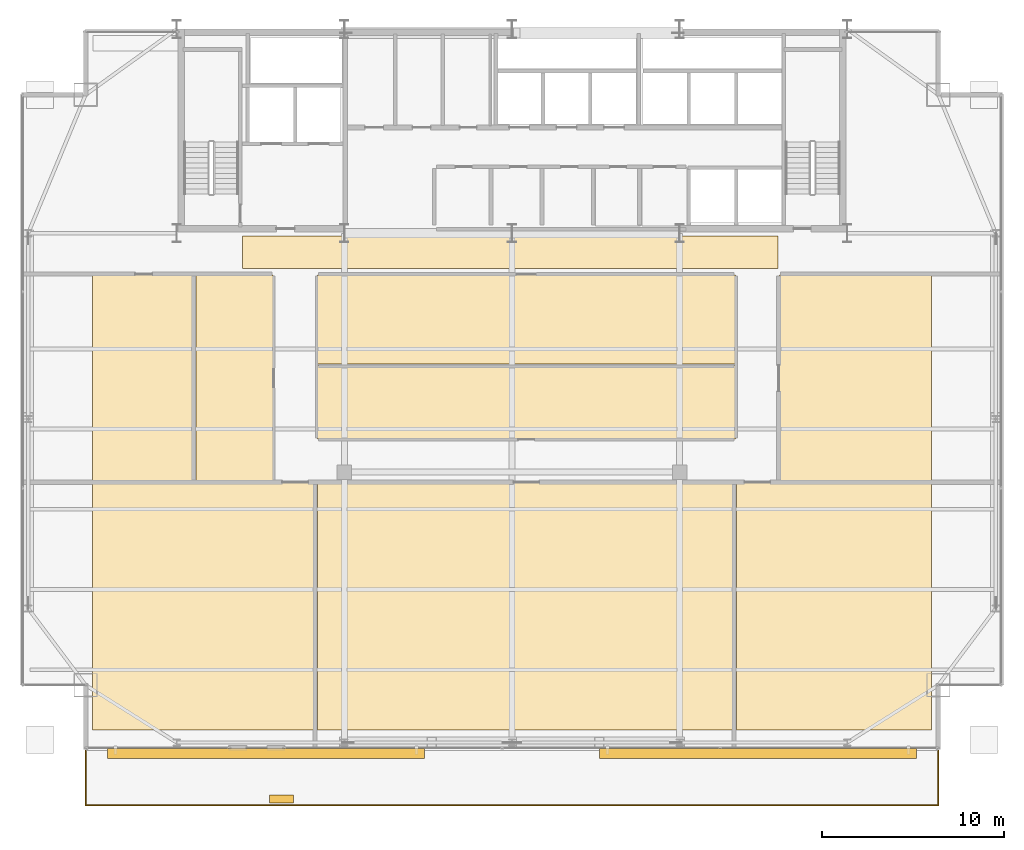
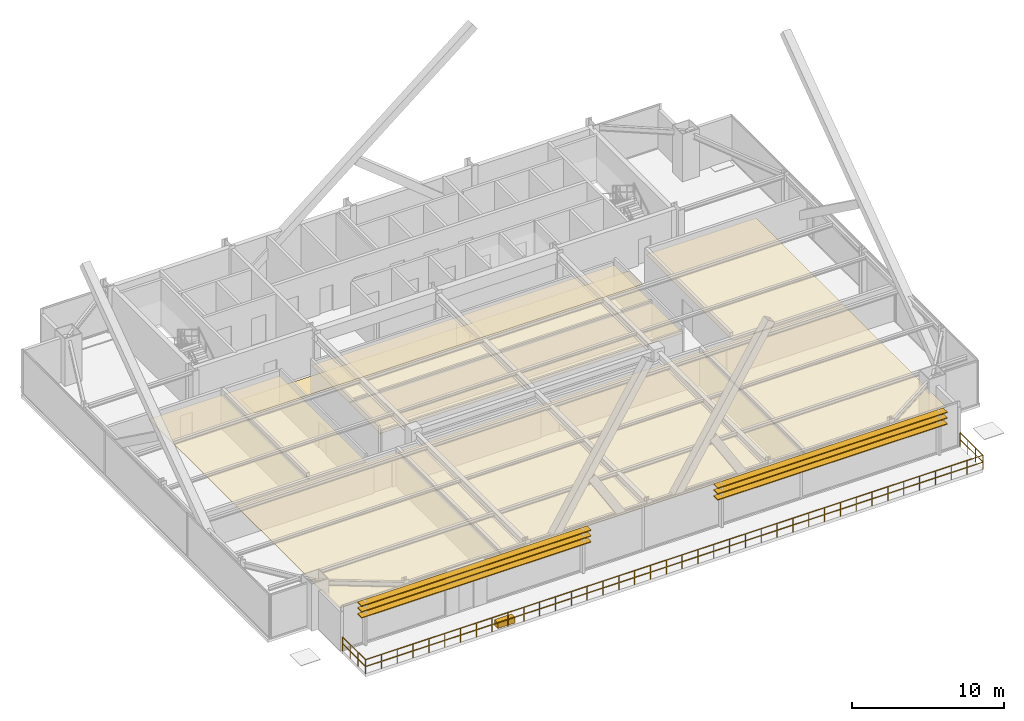
# One storey, part 32 of 33: 10 coverings, 6 shading devices, 3 railings.
"""IFC4 building model written with IfcOpenShell, lengths in metres."""

from ifc_helpers import new_model, si_unit, direction, frame, origin, origin_2d, place, context, subcontext, project, spatial, polyline, rectangle, outline, extrude, source, transform, mapped, material, layer, layer_set, type_object, type_shapes, element, save


model = new_model("IFC4")

# Units and contexts
model_context = context("Model", 3, precision=1e-05, world=origin(), true_north=direction((0.0, 1.0)))
body_context = subcontext(model_context, "Body", "Model", "MODEL_VIEW")
ifc_project = project(units=[si_unit("LENGTHUNIT", "METRE"), si_unit("AREAUNIT", "SQUARE_METRE"), si_unit("VOLUMEUNIT", "CUBIC_METRE"), si_unit("PLANEANGLEUNIT", "RADIAN"), si_unit("MASSUNIT", "GRAM", prefix="KILO")], contexts=[model_context])

# Site, building, storey
site_placement = place(None, origin())
site = spatial("IfcSite", under=ifc_project, at=site_placement, CompositionType="ELEMENT")
building_placement = place(site_placement, origin())
building = spatial("IfcBuilding", under=site, at=building_placement, Name="Varnel Quay Broadcast Tower", CompositionType="ELEMENT")
storey_placement = place(building_placement, frame((0.0, 0.0, 145.800048828125)))
storey = spatial("IfcBuildingStorey", under=building, at=storey_placement, Name="L35", CompositionType="ELEMENT", Elevation=145.800048828125)

# Coverings
ifc_material_1 = material(Name="Micro-Perforated Acoustic Ceiling Tile")
ifc_layer_1 = layer(ifc_material_1, 0.0400390625, Name="Micro-Perforated Acoustic Ceiling Tile")
ifc_layer_set_1 = layer_set([ifc_layer_1], Name="Micro-Perforated Acoustic Ceiling Tile")
covering_type_1 = type_object("IfcCoveringType", Name="Cov_AcousticCeiling", PredefinedType="CEILING", material=ifc_layer_set_1)
covering_1_placement = place(storey_placement, frame((0.0, 0.0, 2.579833984375)))
element("IfcCovering", 1, at=covering_1_placement, inside=storey, type_object=covering_type_1, Name="L35 Podcast Recording Studio 1 Acoustic Ceiling", PredefinedType="CEILING", context=body_context, shape_type="SweptSolid", body=[
    extrude(outline(polyline([(10.985107421875, 8.324951171875), (23.2451171875, 8.324951171875), (23.2451171875, 21.89501953125), (10.985107421875, 21.89501953125), (10.985107421875, 8.324951171875)])), origin(), (0.0, 0.0, 1.0), 0.0400390625),
])
covering_2_placement = place(storey_placement, frame((0.0, 0.0, 2.579833984375)))
element("IfcCovering", 2, at=covering_2_placement, inside=storey, type_object=covering_type_1, Name="L35 Foley Sound Studio 2 Acoustic Ceiling", PredefinedType="CEILING", context=body_context, shape_type="SweptSolid", body=[
    extrude(outline(polyline([(23.31494140625, 8.324951171875), (46.2548828125, 8.324951171875), (46.2548828125, 21.89501953125), (23.31494140625, 21.89501953125), (23.31494140625, 8.324951171875)])), origin(), (0.0, 0.0, 1.0), 0.0400390625),
])
covering_3_placement = place(storey_placement, frame((0.0, 0.0, 2.579833984375)))
element("IfcCovering", 3, at=covering_3_placement, inside=storey, type_object=covering_type_1, Name="L35 Voice Booth 3 Acoustic Ceiling", PredefinedType="CEILING", context=body_context, shape_type="SweptSolid", body=[
    extrude(outline(polyline([(46.324951171875, 8.324951171875), (57.014892578125, 8.324951171875), (57.014892578125, 21.89501953125), (46.324951171875, 21.89501953125), (46.324951171875, 8.324951171875)])), origin(), (0.0, 0.0, 1.0), 0.0400390625),
])
covering_4_placement = place(storey_placement, frame((0.0, 0.0, 2.579833984375)))
element("IfcCovering", 4, at=covering_4_placement, inside=storey, type_object=covering_type_1, Name="L35 Audio Control Room 4 Acoustic Ceiling", PredefinedType="CEILING", context=body_context, shape_type="SweptSolid", body=[
    extrude(outline(polyline([(10.985107421875, 21.965087890625), (16.594970703125, 21.965087890625), (16.594970703125, 33.31494140625), (10.985107421875, 33.31494140625), (10.985107421875, 21.965087890625)])), origin(), (0.0, 0.0, 1.0), 0.0400390625),
])
covering_5_placement = place(storey_placement, frame((0.0, 0.0, 2.579833984375)))
element("IfcCovering", 5, at=covering_5_placement, inside=storey, type_object=covering_type_1, Name="L35 Talent Lounge 5 Acoustic Ceiling", PredefinedType="CEILING", context=body_context, shape_type="SweptSolid", body=[
    extrude(outline(polyline([(16.6650390625, 21.965087890625), (20.89501953125, 21.965087890625), (20.89501953125, 33.31494140625), (16.6650390625, 33.31494140625), (16.6650390625, 21.965087890625)])), origin(), (0.0, 0.0, 1.0), 0.0400390625),
])
covering_6_placement = place(storey_placement, frame((0.0, 0.0, 2.579833984375)))
element("IfcCovering", 6, at=covering_6_placement, inside=storey, type_object=covering_type_1, Name="L35 Pantry Niche 6 Acoustic Ceiling", PredefinedType="CEILING", context=body_context, shape_type="SweptSolid", body=[
    extrude(outline(polyline([(23.31494140625, 24.31494140625), (46.2548828125, 24.31494140625), (46.2548828125, 28.344970703125), (23.31494140625, 28.344970703125), (23.31494140625, 24.31494140625)])), origin(), (0.0, 0.0, 1.0), 0.0400390625),
])
covering_7_placement = place(storey_placement, frame((0.0, 0.0, 2.579833984375)))
element("IfcCovering", 7, at=covering_7_placement, inside=storey, type_object=covering_type_1, Name="L35 Broadcast Seminar Room 7 Acoustic Ceiling", PredefinedType="CEILING", context=body_context, shape_type="SweptSolid", body=[
    extrude(outline(polyline([(23.31494140625, 28.4150390625), (46.2548828125, 28.4150390625), (46.2548828125, 33.31494140625), (23.31494140625, 33.31494140625), (23.31494140625, 28.4150390625)])), origin(), (0.0, 0.0, 1.0), 0.0400390625),
])
covering_8_placement = place(storey_placement, frame((0.0, 0.0, 2.579833984375)))
element("IfcCovering", 8, at=covering_8_placement, inside=storey, type_object=covering_type_1, Name="L35 Podcast Recording Studio 8 Acoustic Ceiling", PredefinedType="CEILING", context=body_context, shape_type="SweptSolid", body=[
    extrude(outline(polyline([(48.675048828125, 21.965087890625), (57.014892578125, 21.965087890625), (57.014892578125, 33.31494140625), (48.675048828125, 33.31494140625), (48.675048828125, 21.965087890625)])), origin(), (0.0, 0.0, 1.0), 0.0400390625),
])
ifc_material_2 = material(Name="Polished Terrazzo & Broadcast Raised Flooring")
ifc_layer_2 = layer(ifc_material_2, 0.0400390625, Name="Polished Terrazzo & Broadcast Raised Flooring")
ifc_layer_set_2 = layer_set([ifc_layer_2], Name="Polished Terrazzo & Broadcast Raised Flooring")
covering_type_2 = type_object("IfcCoveringType", Name="Cov_TerrazzoFloor", PredefinedType="FLOORING", material=ifc_layer_set_2)
covering_9_placement = place(storey_placement, origin())
element("IfcCovering", 9, at=covering_9_placement, inside=storey, type_object=covering_type_2, Name="L35 Corridor Terrazzo Flooring", PredefinedType="FLOORING", context=body_context, shape_type="SweptSolid", body=[
    extrude(outline(polyline([(19.199951171875, 33.64990234375), (48.60009765625, 33.64990234375), (48.60009765625, 35.449951171875), (19.199951171875, 35.449951171875), (19.199951171875, 33.64990234375)])), origin(), (0.0, 0.0, 1.0), 0.0400390625),
])

# Railings
ifc_material_3 = material(Name="Anodised Bronze Aluminium 6063-T6", Category="aluminium")
railing_type = type_object("IfcRailingType", Name="Rail_Balustrade1150", PredefinedType="BALUSTRADE", material=ifc_material_3)
railing_1_placement = place(storey_placement, frame((10.60009765625, 4.199951171875, 0.0)))
element("IfcRailing", 10, at=railing_1_placement, inside=storey, type_object=railing_type, Name="L35 Terrace 1 Guard 1", PredefinedType="BALUSTRADE", context=body_context, shape_type="SweptSolid", body=[
    extrude(rectangle(XDim=0.048095703125, YDim=0.048095703125, at=origin_2d()), frame((0.0, 0.0, 1.1259765625), z_axis=(1.0, 0.0, 0.0), x_axis=(0.0, 1.0, 0.0)), (0.0, 0.0, 1.0), 46.7998046875),
    extrude(rectangle(XDim=0.048095703125, YDim=0.048095703125, at=origin_2d()), frame((0.0, 0.0, 0.574951171875), z_axis=(1.0, 0.0, 0.0), x_axis=(0.0, 1.0, 0.0)), (0.0, 0.0, 1.0), 46.7998046875),
    extrude(rectangle(XDim=0.0419921875, YDim=0.0419921875, at=origin_2d()), origin(), (0.0, 0.0, 1.0), 1.101806640625),
    extrude(rectangle(XDim=0.0419921875, YDim=0.0419921875, at=origin_2d()), frame((1.199951171875, 0.0, 0.0)), (0.0, 0.0, 1.0), 1.101806640625),
    extrude(rectangle(XDim=0.0419921875, YDim=0.0419921875, at=origin_2d()), frame((2.39990234375, 0.0, 0.0)), (0.0, 0.0, 1.0), 1.101806640625),
    extrude(rectangle(XDim=0.0419921875, YDim=0.0419921875, at=origin_2d()), frame((3.60009765625, 0.0, 0.0)), (0.0, 0.0, 1.0), 1.101806640625),
    extrude(rectangle(XDim=0.0419921875, YDim=0.0419921875, at=origin_2d()), frame((4.800048828125, 0.0, 0.0)), (0.0, 0.0, 1.0), 1.101806640625),
    extrude(rectangle(XDim=0.0419921875, YDim=0.0419921875, at=origin_2d()), frame((6.0, 0.0, 0.0)), (0.0, 0.0, 1.0), 1.101806640625),
    extrude(rectangle(XDim=0.0419921875, YDim=0.0419921875, at=origin_2d()), frame((7.199951171875, 0.0, 0.0)), (0.0, 0.0, 1.0), 1.101806640625),
    extrude(rectangle(XDim=0.0419921875, YDim=0.0419921875, at=origin_2d()), frame((8.39990234375, 0.0, 0.0)), (0.0, 0.0, 1.0), 1.101806640625),
    extrude(rectangle(XDim=0.0419921875, YDim=0.0419921875, at=origin_2d()), frame((9.599853515625, 0.0, 0.0)), (0.0, 0.0, 1.0), 1.101806640625),
    extrude(rectangle(XDim=0.0419921875, YDim=0.0419921875, at=origin_2d()), frame((10.800048828125, 0.0, 0.0)), (0.0, 0.0, 1.0), 1.101806640625),
    extrude(rectangle(XDim=0.0419921875, YDim=0.0419921875, at=origin_2d()), frame((12.0, 0.0, 0.0)), (0.0, 0.0, 1.0), 1.101806640625),
    extrude(rectangle(XDim=0.0419921875, YDim=0.0419921875, at=origin_2d()), frame((13.199951171875, 0.0, 0.0)), (0.0, 0.0, 1.0), 1.101806640625),
    extrude(rectangle(XDim=0.0419921875, YDim=0.0419921875, at=origin_2d()), frame((14.39990234375, 0.0, 0.0)), (0.0, 0.0, 1.0), 1.101806640625),
    extrude(rectangle(XDim=0.0419921875, YDim=0.0419921875, at=origin_2d()), frame((15.599853515625, 0.0, 0.0)), (0.0, 0.0, 1.0), 1.101806640625),
    extrude(rectangle(XDim=0.0419921875, YDim=0.0419921875, at=origin_2d()), frame((16.800048828125, 0.0, 0.0)), (0.0, 0.0, 1.0), 1.101806640625),
    extrude(rectangle(XDim=0.0419921875, YDim=0.0419921875, at=origin_2d()), frame((18.0, 0.0, 0.0)), (0.0, 0.0, 1.0), 1.101806640625),
    extrude(rectangle(XDim=0.0419921875, YDim=0.0419921875, at=origin_2d()), frame((19.199951171875, 0.0, 0.0)), (0.0, 0.0, 1.0), 1.101806640625),
    extrude(rectangle(XDim=0.0419921875, YDim=0.0419921875, at=origin_2d()), frame((20.39990234375, 0.0, 0.0)), (0.0, 0.0, 1.0), 1.101806640625),
    extrude(rectangle(XDim=0.0419921875, YDim=0.0419921875, at=origin_2d()), frame((21.599853515625, 0.0, 0.0)), (0.0, 0.0, 1.0), 1.101806640625),
    extrude(rectangle(XDim=0.0419921875, YDim=0.0419921875, at=origin_2d()), frame((22.7998046875, 0.0, 0.0)), (0.0, 0.0, 1.0), 1.101806640625),
    extrude(rectangle(XDim=0.0419921875, YDim=0.0419921875, at=origin_2d()), frame((24.0, 0.0, 0.0)), (0.0, 0.0, 1.0), 1.101806640625),
    extrude(rectangle(XDim=0.0419921875, YDim=0.0419921875, at=origin_2d()), frame((25.199951171875, 0.0, 0.0)), (0.0, 0.0, 1.0), 1.101806640625),
    extrude(rectangle(XDim=0.0419921875, YDim=0.0419921875, at=origin_2d()), frame((26.39990234375, 0.0, 0.0)), (0.0, 0.0, 1.0), 1.101806640625),
    extrude(rectangle(XDim=0.0419921875, YDim=0.0419921875, at=origin_2d()), frame((27.599853515625, 0.0, 0.0)), (0.0, 0.0, 1.0), 1.101806640625),
    extrude(rectangle(XDim=0.0419921875, YDim=0.0419921875, at=origin_2d()), frame((28.7998046875, 0.0, 0.0)), (0.0, 0.0, 1.0), 1.101806640625),
    extrude(rectangle(XDim=0.0419921875, YDim=0.0419921875, at=origin_2d()), frame((29.999755859375, 0.0, 0.0)), (0.0, 0.0, 1.0), 1.101806640625),
    extrude(rectangle(XDim=0.0419921875, YDim=0.0419921875, at=origin_2d()), frame((31.199951171875, 0.0, 0.0)), (0.0, 0.0, 1.0), 1.101806640625),
    extrude(rectangle(XDim=0.0419921875, YDim=0.0419921875, at=origin_2d()), frame((32.39990234375, 0.0, 0.0)), (0.0, 0.0, 1.0), 1.101806640625),
    extrude(rectangle(XDim=0.0419921875, YDim=0.0419921875, at=origin_2d()), frame((33.599853515625, 0.0, 0.0)), (0.0, 0.0, 1.0), 1.101806640625),
    extrude(rectangle(XDim=0.0419921875, YDim=0.0419921875, at=origin_2d()), frame((34.7998046875, 0.0, 0.0)), (0.0, 0.0, 1.0), 1.101806640625),
    extrude(rectangle(XDim=0.0419921875, YDim=0.0419921875, at=origin_2d()), frame((35.999755859375, 0.0, 0.0)), (0.0, 0.0, 1.0), 1.101806640625),
    extrude(rectangle(XDim=0.0419921875, YDim=0.0419921875, at=origin_2d()), frame((37.199951171875, 0.0, 0.0)), (0.0, 0.0, 1.0), 1.101806640625),
    extrude(rectangle(XDim=0.0419921875, YDim=0.0419921875, at=origin_2d()), frame((38.39990234375, 0.0, 0.0)), (0.0, 0.0, 1.0), 1.101806640625),
    extrude(rectangle(XDim=0.0419921875, YDim=0.0419921875, at=origin_2d()), frame((39.599853515625, 0.0, 0.0)), (0.0, 0.0, 1.0), 1.101806640625),
    extrude(rectangle(XDim=0.0419921875, YDim=0.0419921875, at=origin_2d()), frame((40.7998046875, 0.0, 0.0)), (0.0, 0.0, 1.0), 1.101806640625),
    extrude(rectangle(XDim=0.0419921875, YDim=0.0419921875, at=origin_2d()), frame((41.999755859375, 0.0, 0.0)), (0.0, 0.0, 1.0), 1.101806640625),
    extrude(rectangle(XDim=0.0419921875, YDim=0.0419921875, at=origin_2d()), frame((43.19970703125, 0.0, 0.0)), (0.0, 0.0, 1.0), 1.101806640625),
    extrude(rectangle(XDim=0.0419921875, YDim=0.0419921875, at=origin_2d()), frame((44.39990234375, 0.0, 0.0)), (0.0, 0.0, 1.0), 1.101806640625),
    extrude(rectangle(XDim=0.0419921875, YDim=0.0419921875, at=origin_2d()), frame((45.599853515625, 0.0, 0.0)), (0.0, 0.0, 1.0), 1.101806640625),
    extrude(rectangle(XDim=0.0419921875, YDim=0.0419921875, at=origin_2d()), frame((46.7998046875, 0.0, 0.0)), (0.0, 0.0, 1.0), 1.101806640625),
])
railing_2_placement = place(storey_placement, frame((57.39990234375, 4.199951171875, 0.0)))
element("IfcRailing", 11, at=railing_2_placement, inside=storey, type_object=railing_type, Name="L35 Terrace 1 Guard 2", PredefinedType="BALUSTRADE", context=body_context, shape_type="SweptSolid", body=[
    extrude(rectangle(XDim=0.048095703125, YDim=0.048095703125, at=origin_2d()), frame((0.0, 0.0, 1.1259765625), z_axis=(0.0, 1.0, 0.0), x_axis=(-1.0, 0.0, 0.0)), (0.0, 0.0, 1.0), 3.0),
    extrude(rectangle(XDim=0.048095703125, YDim=0.048095703125, at=origin_2d()), frame((0.0, 0.0, 0.574951171875), z_axis=(0.0, 1.0, 0.0), x_axis=(-1.0, 0.0, 0.0)), (0.0, 0.0, 1.0), 3.0),
    extrude(rectangle(XDim=0.0419921875, YDim=0.0419921875, at=origin_2d()), origin(), (0.0, 0.0, 1.0), 1.101806640625),
    extrude(rectangle(XDim=0.0419921875, YDim=0.0419921875, at=origin_2d()), frame((0.0, 1.0, 0.0)), (0.0, 0.0, 1.0), 1.101806640625),
    extrude(rectangle(XDim=0.0419921875, YDim=0.0419921875, at=origin_2d()), frame((0.0, 2.0, 0.0)), (0.0, 0.0, 1.0), 1.101806640625),
    extrude(rectangle(XDim=0.0419921875, YDim=0.0419921875, at=origin_2d()), frame((0.0, 3.0, 0.0)), (0.0, 0.0, 1.0), 1.101806640625),
])
railing_3_placement = place(storey_placement, frame((10.60009765625, 7.199951171875, 0.0)))
element("IfcRailing", 12, at=railing_3_placement, inside=storey, type_object=railing_type, Name="L35 Terrace 1 Guard 4", PredefinedType="BALUSTRADE", context=body_context, shape_type="SweptSolid", body=[
    extrude(rectangle(XDim=0.048095703125, YDim=0.048095703125, at=origin_2d()), frame((0.0, 0.0, 1.1259765625), z_axis=(0.0, -1.0, 0.0), x_axis=(1.0, 0.0, 0.0)), (0.0, 0.0, 1.0), 3.0),
    extrude(rectangle(XDim=0.048095703125, YDim=0.048095703125, at=origin_2d()), frame((0.0, 0.0, 0.574951171875), z_axis=(0.0, -1.0, 0.0), x_axis=(1.0, 0.0, 0.0)), (0.0, 0.0, 1.0), 3.0),
    extrude(rectangle(XDim=0.0419921875, YDim=0.0419921875, at=origin_2d()), origin(), (0.0, 0.0, 1.0), 1.101806640625),
    extrude(rectangle(XDim=0.0419921875, YDim=0.0419921875, at=origin_2d()), frame((0.0, -1.0, 0.0)), (0.0, 0.0, 1.0), 1.101806640625),
    extrude(rectangle(XDim=0.0419921875, YDim=0.0419921875, at=origin_2d()), frame((0.0, -2.0, 0.0)), (0.0, 0.0, 1.0), 1.101806640625),
    extrude(rectangle(XDim=0.0419921875, YDim=0.0419921875, at=origin_2d()), frame((0.0, -3.0, 0.0)), (0.0, 0.0, 1.0), 1.101806640625),
])

# Covering
ifc_material_4 = material(Name="Bronze-Terracotta Extruded Ceramic Blade", Category="masonry")
ifc_layer_3 = layer(ifc_material_4, 0.449951171875, Name="Bronze-Terracotta Extruded Ceramic Blade")
ifc_layer_set_3 = layer_set([ifc_layer_3], Name="Bronze-Terracotta Extruded Ceramic Blade")
covering_type_3 = type_object("IfcCoveringType", Name="Cov_BronzePlanter", PredefinedType="CLADDING", material=ifc_layer_set_3)
shared_shape_1 = source(origin(), body_context, "Body", "SweptSolid", [
    extrude(rectangle(XDim=1.300048828125, YDim=0.449951171875, at=origin_2d()), origin(), (0.0, 0.0, 1.0), 0.449951171875),
])
type_shapes(covering_type_3, [shared_shape_1])
covering_10_placement = place(storey_placement, frame((21.35009765625, 4.550048828125, 0.0), z_axis=(0.0, 0.0, 1.0), x_axis=(1.0, 0.0, 0.0)))
element("IfcCovering", 13, at=covering_10_placement, inside=storey, type_object=covering_type_3, Name="L35 Terrace 1 Bronze Planter", PredefinedType="CLADDING", context=body_context, shape_type="MappedRepresentation", body=[
    mapped(shared_shape_1, transform((0.0, 0.0, 0.0), x_axis=(1.0, 0.0, 0.0), y_axis=(0.0, 1.0, 0.0), z_axis=(0.0, 0.0, 1.0), scale=1.0)),
])

# Shading devices
ifc_layer_4 = layer(ifc_material_4, 0.06494140625, Name="Bronze-Terracotta Extruded Ceramic Blade")
ifc_layer_set_4 = layer_set([ifc_layer_4], Name="Bronze-Terracotta Extruded Ceramic Blade")
shading_device_type = type_object("IfcShadingDeviceType", Name="Shade_LouvreBlade550", PredefinedType="JALOUSIE", material=ifc_layer_set_4)
shared_shape_2 = source(origin(), body_context, "Body", "SweptSolid", [
    extrude(rectangle(XDim=17.39990234375, YDim=0.550048828125, at=origin_2d()), origin(), (0.0, 0.0, 1.0), 0.06494140625),
])
type_shapes(shading_device_type, [shared_shape_2])
for number, where, z_axis, x_axis, name in (
    (14, (20.5, 7.06005859375, 2.447509765625), (0.0, 0.0, 1.0), (1.0, 0.0, 0.0), "L35 Lobe 1 Horizontal Louvre Blade 1"),
    (15, (20.5, 7.06005859375, 2.927490234375), (0.0, 0.0, 1.0), (1.0, 0.0, 0.0), "L35 Lobe 1 Horizontal Louvre Blade 2"),
    (16, (20.5, 7.06005859375, 3.387451171875), (0.0, 0.0, 1.0), (1.0, 0.0, 0.0), "L35 Lobe 1 Horizontal Louvre Blade 3"),
    (17, (47.5, 7.06005859375, 2.447509765625), (0.0, 0.0, 1.0), (1.0, 0.0, 0.0), "L35 Lobe 2 Horizontal Louvre Blade 1"),
    (18, (47.5, 7.06005859375, 2.927490234375), (0.0, 0.0, 1.0), (1.0, 0.0, 0.0), "L35 Lobe 2 Horizontal Louvre Blade 2"),
    (19, (47.5, 7.06005859375, 3.387451171875), (0.0, 0.0, 1.0), (1.0, 0.0, 0.0), "L35 Lobe 2 Horizontal Louvre Blade 3"),
):
    element("IfcShadingDevice", number, at=place(storey_placement, frame(where, z_axis=z_axis, x_axis=x_axis)), inside=storey, type_object=shading_device_type, Name=name, PredefinedType="JALOUSIE", context=body_context, shape_type="MappedRepresentation", body=[
        mapped(shared_shape_2, transform((0.0, 0.0, 0.0), x_axis=(1.0, 0.0, 0.0), y_axis=(0.0, 1.0, 0.0), z_axis=(0.0, 0.0, 1.0), scale=1.0)),
    ])

save(model, "model.ifc")
